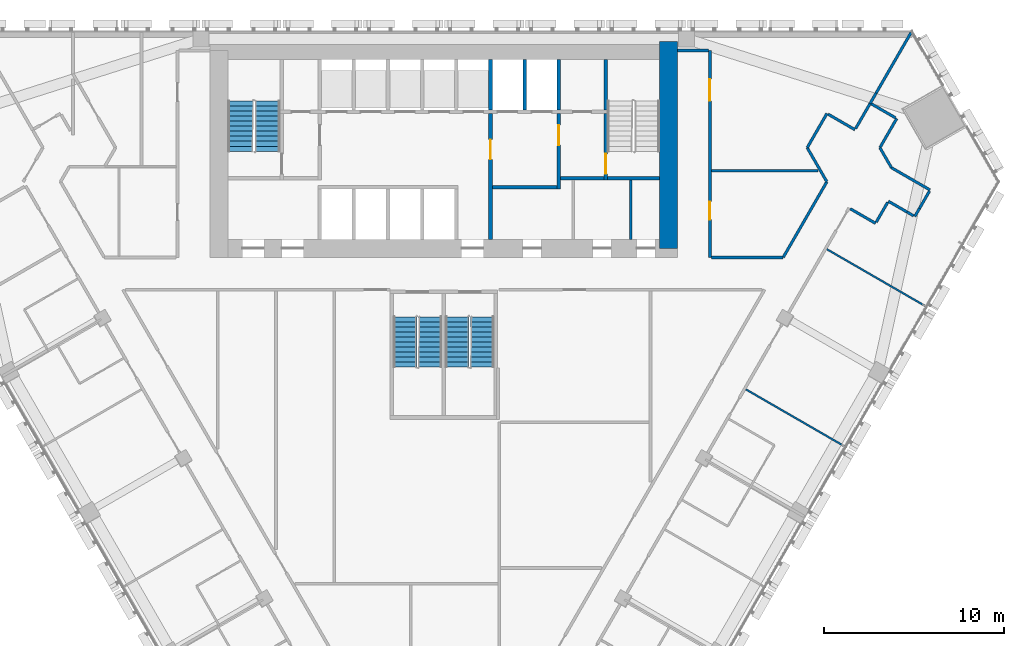
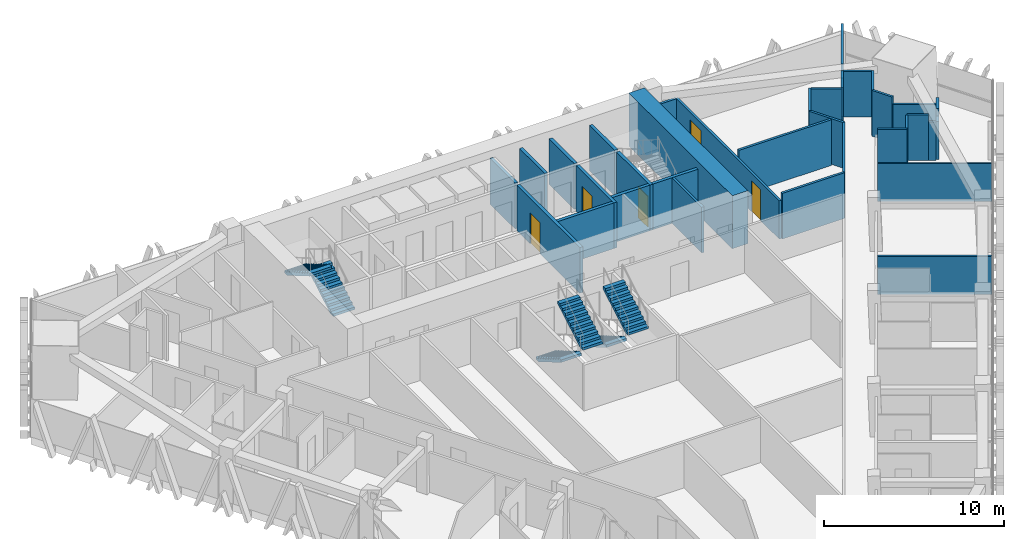
# One storey, part 14 of 18: 35 walls, 6 stair flights, 5 doors, 5 openings, 3 elements without a shape of their own.
"""IFC4 building model written with IfcOpenShell, lengths in metres."""

import ifcopenshell
import ifcopenshell.guid

model = None  # the IFC model being written
_history = None  # IfcOwnerHistory: only IFC2X3 demands one
_inside = {}  # id of a spatial element -> (the spatial element, [elements in it])
_under = {}  # id of a project, library or spatial element -> (it, [spatial elements below it])
_declared = {}  # id of a project -> (the project, [libraries it declares])
_typed = {}  # id of a type object -> (the type object, [elements of that type])
_made_of = {}  # id of a material, layer set ... -> (it, [elements and type objects made of it])


def new_model(schema):
    """Start an empty IFC model of exactly this schema.

    Asked for "IFC4X3", IfcOpenShell would pick the latest addendum, in which some entities
    have other attributes; the version numbers below select the first issue.
    IFC2X3 requires an IfcOwnerHistory on every rooted entity: one is made here for all.
    """
    global model, _history
    if schema == "IFC4X3":
        model = ifcopenshell.file(schema_version=(4, 3, 0, 0))
    else:
        model = ifcopenshell.file(schema=schema)
    _inside.clear()
    _under.clear()
    _declared.clear()
    _typed.clear()
    _made_of.clear()
    _history = None
    if model.schema == "IFC2X3":
        org = make("IfcOrganization", Name="unknown")
        user = make(
            "IfcPersonAndOrganization",
            ThePerson=make("IfcPerson", FamilyName="unknown"),
            TheOrganization=org,
        )
        app = make(
            "IfcApplication",
            ApplicationDeveloper=org,
            Version="unknown",
            ApplicationFullName="unknown",
            ApplicationIdentifier="unknown",
        )
        _history = make(
            "IfcOwnerHistory",
            OwningUser=user,
            OwningApplication=app,
            ChangeAction="ADDED",
            CreationDate=0,
        )
    return model


def make(cls, **values):
    """One entity of the class cls with the attributes given. An attribute that is None is left unset."""
    return model.create_entity(
        cls, **{name: value for name, value in values.items() if value is not None}
    )


def rooted(cls, **values):
    """An entity with a GlobalId (a new one), such as an element, a storey or a relation."""
    return make(cls, GlobalId=ifcopenshell.guid.new(), OwnerHistory=_history, **values)


def si_unit(unit_type, name, prefix=None):
    """IfcSIUnit, for example si_unit("LENGTHUNIT", "METRE", prefix="MILLI")."""
    return make("IfcSIUnit", UnitType=unit_type, Prefix=prefix, Name=name)


def assignment(units):
    """IfcUnitAssignment: the units of a project."""
    return None if units is None else make("IfcUnitAssignment", Units=units)


def point(xyz):
    """IfcCartesianPoint."""
    return None if xyz is None else make("IfcCartesianPoint", Coordinates=xyz)


def direction(xyz):
    """IfcDirection."""
    return None if xyz is None else make("IfcDirection", DirectionRatios=xyz)


def frame(location, z_axis=None, x_axis=None):
    """IfcAxis2Placement3D, a coordinate frame: its origin and axes. An axis left out is left unset."""
    return make(
        "IfcAxis2Placement3D",
        Location=point(location),
        Axis=direction(z_axis),
        RefDirection=direction(x_axis),
    )


def frame_2d(location, x_axis=None):
    """IfcAxis2Placement2D, a coordinate frame in the plane: its origin and x axis."""
    return make(
        "IfcAxis2Placement2D", Location=point(location), RefDirection=direction(x_axis)
    )


def origin():
    """The frame at (0, 0, 0) with its axes left unset."""
    return frame((0.0, 0.0, 0.0))


def place(relative_to, where):
    """IfcLocalPlacement: puts the frame where relative to a parent placement (None: the world)."""
    return make(
        "IfcLocalPlacement", PlacementRelTo=relative_to, RelativePlacement=where
    )


def context(
    kind, dimensions, precision=None, world=None, true_north=None, identifier=None
):
    """IfcGeometricRepresentationContext, for example the 3D "Model" context."""
    return make(
        "IfcGeometricRepresentationContext",
        ContextIdentifier=identifier,
        ContextType=kind,
        CoordinateSpaceDimension=dimensions,
        Precision=precision,
        WorldCoordinateSystem=world,
        TrueNorth=true_north,
    )


def subcontext(parent, identifier, kind, view, scale=None):
    """IfcGeometricRepresentationSubContext, for example "Body" below "Model"."""
    return make(
        "IfcGeometricRepresentationSubContext",
        ContextIdentifier=identifier,
        ContextType=kind,
        ParentContext=parent,
        TargetScale=scale,
        TargetView=view,
    )


def project(units=None, contexts=None):
    """IfcProject with its units and contexts."""
    return rooted(
        "IfcProject",
        Name="project",
        RepresentationContexts=contexts,
        UnitsInContext=assignment(units),
    )


def spatial(cls, under=None, at=None, **own):
    """A site, building, storey or space (cls), placed at a placement, below another one or the project."""
    s = rooted(cls, ObjectPlacement=at, **own)
    if under is not None:
        _under.setdefault(under.id(), (under, []))[1].append(s)
    return s


def polyline(points):
    """IfcPolyline through the points."""
    return make("IfcPolyline", Points=[point(p) for p in points])


def profile(cls, at=None, kind="AREA", **sizes):
    """A parametric profile (cls). Its sizes go by their IFC names, for example OverallWidth=200.0."""
    return make(cls, ProfileType=kind, Position=at, **sizes)


def rectangle(**sizes):
    """IfcRectangleProfileDef."""
    return profile("IfcRectangleProfileDef", **sizes)


def outline(outer, holes=None, kind="AREA"):
    """IfcArbitraryClosedProfileDef: a profile drawn as a closed curve; with holes, ...WithVoids."""
    if holes is None:
        return make("IfcArbitraryClosedProfileDef", ProfileType=kind, OuterCurve=outer)
    return make(
        "IfcArbitraryProfileDefWithVoids",
        ProfileType=kind,
        OuterCurve=outer,
        InnerCurves=holes,
    )


def extrude(swept, where, along, depth):
    """IfcExtrudedAreaSolid: the profile swept, set in the frame where, extruded along a direction by depth."""
    return make(
        "IfcExtrudedAreaSolid",
        SweptArea=swept,
        Position=where,
        ExtrudedDirection=direction(along),
        Depth=depth,
    )


def shape(context_of_items, identifier, shape_type, items):
    """IfcShapeRepresentation: the items that make up one representation, for example the "Body"."""
    return make(
        "IfcShapeRepresentation",
        ContextOfItems=context_of_items,
        RepresentationIdentifier=identifier,
        RepresentationType=shape_type,
        Items=items,
    )


def material(Name=None, Category=None):
    """IfcMaterial."""
    return make("IfcMaterial", Name=Name, Category=Category)


def layer(
    of_material, thickness, ventilated=None, Name=None, Category=None, Priority=None
):
    """IfcMaterialLayer: one layer of a wall or slab, of a material (None: an air gap)."""
    return make(
        "IfcMaterialLayer",
        Material=of_material,
        LayerThickness=thickness,
        IsVentilated=ventilated,
        Name=Name,
        Category=Category,
        Priority=Priority,
    )


def layer_set(layers, Name=None):
    """IfcMaterialLayerSet."""
    return make("IfcMaterialLayerSet", MaterialLayers=layers, LayerSetName=Name)


def made_of(thing, what):
    """Note that an element or type object is made of a material, layer set ...; save() writes the relation."""
    if what is not None:
        _made_of.setdefault(what.id(), (what, []))[1].append(thing)
    return thing


def type_object(cls, material=None, **own):
    """A type object (cls), such as IfcWallType, which elements share."""
    return made_of(rooted(cls, **own), material)


def element(
    cls,
    number,
    at=None,
    inside=None,
    cuts=None,
    type_object=None,
    material=None,
    context=None,
    identifier="Body",
    shape_type=None,
    held_by="IfcProductDefinitionShape",
    body=None,
    shapes=None,
    **own,
):
    """One element of the class cls, such as IfcWall. Its Tag is "e" and its number.

    at: its placement. inside: the storey or other place that contains it. cuts: it is an
    opening in that element (IfcRelVoidsElement). A single representation is given by context,
    identifier, shape_type and body (its items); several are given by shapes. held_by: the class
    of the entity that holds the representations. save() writes the other relations.
    """
    e = rooted(cls, Tag="e%d" % number, ObjectPlacement=at, **own)
    if body is not None:
        shapes = [shape(context, identifier, shape_type, body)]
    if shapes is not None:
        e.Representation = make(held_by, Representations=shapes)
    if inside is not None:
        _inside.setdefault(inside.id(), (inside, []))[1].append(e)
    if cuts is not None:
        rooted(
            "IfcRelVoidsElement", RelatingBuildingElement=cuts, RelatedOpeningElement=e
        )
    if type_object is not None:
        _typed.setdefault(type_object.id(), (type_object, []))[1].append(e)
    return made_of(e, material)


def fill(opening, filler):
    """IfcRelFillsElement: the door or window that sits in an opening."""
    return rooted(
        "IfcRelFillsElement",
        RelatingOpeningElement=opening,
        RelatedBuildingElement=filler,
    )


def aggregate(whole, parts):
    """IfcRelAggregates: a whole, such as a stair, and the parts it consists of."""
    return rooted("IfcRelAggregates", RelatingObject=whole, RelatedObjects=parts)


def save(model, path):
    """Write the relations noted so far, then the file.

    IfcRelAggregates (storeys below a building ...), IfcRelContainedInSpatialStructure (elements
    in a storey), IfcRelDefinesByType, IfcRelAssociatesMaterial and IfcRelDeclares: one each for
    every whole, place, type object, material and project.
    """
    for whole, parts in _under.values():
        aggregate(whole, parts)
    for where, things in _inside.values():
        rooted(
            "IfcRelContainedInSpatialStructure",
            RelatedElements=things,
            RelatingStructure=where,
        )
    for kind, things in _typed.values():
        rooted("IfcRelDefinesByType", RelatedObjects=things, RelatingType=kind)
    for what, things in _made_of.values():
        rooted("IfcRelAssociatesMaterial", RelatedObjects=things, RelatingMaterial=what)
    for by, libraries in _declared.values():
        rooted("IfcRelDeclares", RelatingContext=by, RelatedDefinitions=libraries)
    model.write(path)


model = new_model("IFC4")

# Units and contexts
model_context = context("Model", 3, precision=1e-05, world=origin(), true_north=direction((0.0, 1.0)))
body_context = subcontext(model_context, "Body", "Model", "MODEL_VIEW")
ifc_project = project(units=[si_unit("LENGTHUNIT", "METRE"), si_unit("AREAUNIT", "SQUARE_METRE"), si_unit("VOLUMEUNIT", "CUBIC_METRE"), si_unit("PLANEANGLEUNIT", "RADIAN"), si_unit("MASSUNIT", "GRAM", prefix="KILO")], contexts=[model_context])

# Site, building, storey
site_placement = place(None, origin())
site = spatial("IfcSite", under=ifc_project, at=site_placement, CompositionType="ELEMENT")
building_placement = place(site_placement, origin())
building = spatial("IfcBuilding", under=site, at=building_placement, Name="Altiplano Prism Tower", CompositionType="ELEMENT")
storey_placement = place(building_placement, frame((0.0, 0.0, 41.39990234375)))
storey = spatial("IfcBuildingStorey", under=building, at=storey_placement, Name="L09", CompositionType="ELEMENT", Elevation=41.39990234375)

# Walls
ifc_material_1 = material(Name="Concrete C70/85", Category="concrete")
ifc_layer_1 = layer(ifc_material_1, 1.0)
ifc_layer_set_1 = layer_set([ifc_layer_1], Name="Concrete C70/85")
wall_type_1 = type_object("IfcWallType", Name="Core wall 1000", PredefinedType="SHEAR", material=ifc_layer_set_1)
wall_1_placement = place(storey_placement, frame((97.5, 92.89990234375, 0.0), z_axis=(0.0, 0.0, 1.0), x_axis=(0.0, 1.0, 0.0)))
element("IfcWall", 1, at=wall_1_placement, inside=storey, type_object=wall_type_1, Name="Core wall E L09", PredefinedType="SHEAR", context=body_context, shape_type="SweptSolid", body=[
    extrude(rectangle(XDim=11.5, YDim=1.0, at=frame_2d((5.75, 0.0))), origin(), (0.0, 0.0, 1.0), 3.60009765625),
])
ifc_material_2 = material(Name="Plasterboard on steel stud", Category="steel")
ifc_layer_2 = layer(ifc_material_2, 0.10009765625)
ifc_layer_set_2 = layer_set([ifc_layer_2], Name="Plasterboard on steel stud")
wall_type_2 = type_object("IfcWallType", Name="Partition 100 wet", PredefinedType="PARTITIONING", material=ifc_layer_set_2)
wall_2_placement = place(storey_placement, frame((107.29736328125, 81.888427734375, 0.0), z_axis=(0.0, 0.0, 1.0), x_axis=(-0.866032443377, 0.499987806871, 0.0)))
element("IfcWall", 2, at=wall_2_placement, inside=storey, type_object=wall_type_2, Name="Partition P03 L09 101", PredefinedType="PARTITIONING", context=body_context, shape_type="SweptSolid", body=[
    extrude(rectangle(XDim=6.344970703125, YDim=0.10009765625, at=frame_2d((3.17236328125, 0.0))), origin(), (0.0, 0.0, 1.0), 2.60009765625),
])
wall_3_placement = place(storey_placement, frame((111.79736328125, 89.6826171875, 0.0), z_axis=(0.0, 0.0, 1.0), x_axis=(-0.866025401434, 0.500000004071, 0.0)))
element("IfcWall", 3, at=wall_3_placement, inside=storey, type_object=wall_type_2, Name="Partition P03 L09 102", PredefinedType="PARTITIONING", context=body_context, shape_type="SweptSolid", body=[
    extrude(rectangle(XDim=6.34521484375, YDim=0.10009765625, at=frame_2d((3.172607421875, 0.0))), origin(), (0.0, 0.0, 1.0), 2.60009765625),
])
ifc_layer_3 = layer(ifc_material_2, 0.14990234375)
ifc_layer_set_3 = layer_set([ifc_layer_3], Name="Plasterboard on steel stud")
wall_type_3 = type_object("IfcWallType", Name="Partition 150 corridor", PredefinedType="PARTITIONING", material=ifc_layer_set_3)
wall_4_placement = place(storey_placement, frame((107.602294921875, 95.106689453125, 0.0), z_axis=(0.0, 0.0, 1.0), x_axis=(0.866053003207, -0.499952193351, 0.0)))
element("IfcWall", 4, at=wall_4_placement, inside=storey, type_object=wall_type_3, Name="Partition P06 L09 025", PredefinedType="PARTITIONING", context=body_context, shape_type="SweptSolid", body=[
    extrude(rectangle(XDim=1.625244140625, YDim=0.14990234375, at=frame_2d((0.8125, 0.0))), origin(), (0.0, 0.0, 1.0), 3.10009765625),
])
wall_5_placement = place(storey_placement, frame((109.047119140625, 94.359375, 0.0), z_axis=(0.0, 0.0, 1.0), x_axis=(0.500066257368, 0.865987146695, 0.0)))
element("IfcWall", 5, at=wall_5_placement, inside=storey, type_object=wall_type_3, Name="Partition P06 L09 026", PredefinedType="PARTITIONING", context=body_context, shape_type="SweptSolid", body=[
    extrude(rectangle(XDim=1.270263671875, YDim=0.14990234375, at=frame_2d((0.63525390625, 0.0))), origin(), (0.0, 0.0, 1.0), 3.10009765625),
])
wall_6_placement = place(storey_placement, frame((109.719970703125, 95.5244140625, 0.0), z_axis=(0.0, 0.0, 1.0), x_axis=(0.866046033456, -0.499964266659, 0.0)))
element("IfcWall", 6, at=wall_6_placement, inside=storey, type_object=wall_type_3, Name="Partition P06 L09 027", PredefinedType="PARTITIONING", context=body_context, shape_type="SweptSolid", body=[
    extrude(rectangle(XDim=1.1943359375, YDim=0.14990234375, at=frame_2d((0.59716796875, 0.0))), origin(), (0.0, 0.0, 1.0), 3.10009765625),
])
wall_7_placement = place(storey_placement, frame((110.75439453125, 94.92724609375, 0.0), z_axis=(0.0, 0.0, 1.0), x_axis=(0.865930570761, -0.500164219654, 0.0)))
element("IfcWall", 7, at=wall_7_placement, inside=storey, type_object=wall_type_3, Name="Partition P06 L09 028", PredefinedType="PARTITIONING", context=body_context, shape_type="SweptSolid", body=[
    extrude(rectangle(XDim=0.430419921875, YDim=0.14990234375, at=frame_2d((0.21533203125, 0.0))), origin(), (0.0, 0.0, 1.0), 2.60009765625),
])
wall_8_placement = place(storey_placement, frame((111.192138671875, 94.674560546875, 0.0), z_axis=(0.0, 0.0, 1.0), x_axis=(0.500262019077, 0.865874074141, 0.0)))
element("IfcWall", 8, at=wall_8_placement, inside=storey, type_object=wall_type_3, Name="Partition P06 L09 029", PredefinedType="PARTITIONING", context=body_context, shape_type="SweptSolid", body=[
    extrude(rectangle(XDim=0.522216796875, YDim=0.14990234375, at=frame_2d((0.26123046875, 0.0))), origin(), (0.0, 0.0, 1.0), 2.60009765625),
])
wall_9_placement = place(storey_placement, frame((111.453369140625, 95.126708984375, 0.0), z_axis=(0.0, 0.0, 1.0), x_axis=(0.499901324955, 0.866082366353, 0.0)))
element("IfcWall", 9, at=wall_9_placement, inside=storey, type_object=wall_type_3, Name="Partition P06 L09 030", PredefinedType="PARTITIONING", context=body_context, shape_type="SweptSolid", body=[
    extrude(rectangle(XDim=1.102783203125, YDim=0.14990234375, at=frame_2d((0.55126953125, 0.0))), origin(), (0.0, 0.0, 1.0), 3.10009765625),
])
wall_10_placement = place(storey_placement, frame((112.042236328125, 96.146728515625, 0.0), z_axis=(0.0, 0.0, 1.0), x_axis=(-0.866011868261, 0.500023443481, 0.0)))
element("IfcWall", 10, at=wall_10_placement, inside=storey, type_object=wall_type_3, Name="Partition P06 L09 031", PredefinedType="PARTITIONING", context=body_context, shape_type="SweptSolid", body=[
    extrude(rectangle(XDim=2.48095703125, YDim=0.14990234375, at=frame_2d((1.240478515625, 0.0))), origin(), (0.0, 0.0, 1.0), 2.60009765625),
])
wall_11_placement = place(storey_placement, frame((109.893798828125, 97.38720703125, 0.0), z_axis=(0.0, 0.0, 1.0), x_axis=(-0.50006233641, 0.86598941085, 0.0)))
element("IfcWall", 11, at=wall_11_placement, inside=storey, type_object=wall_type_3, Name="Partition P06 L09 032", PredefinedType="PARTITIONING", context=body_context, shape_type="SweptSolid", body=[
    extrude(rectangle(XDim=1.284912109375, YDim=0.14990234375, at=frame_2d((0.642578125, 0.0))), origin(), (0.0, 0.0, 1.0), 3.10009765625),
])
wall_12_placement = place(storey_placement, frame((109.251220703125, 98.5, 0.0), z_axis=(0.0, 0.0, 1.0), x_axis=(0.499951854219, 0.86605319898, 0.0)))
element("IfcWall", 12, at=wall_12_placement, inside=storey, type_object=wall_type_3, Name="Partition P06 L09 033", PredefinedType="PARTITIONING", context=body_context, shape_type="SweptSolid", body=[
    extrude(rectangle(XDim=1.873291015625, YDim=0.14990234375, at=frame_2d((0.9365234375, 0.0))), origin(), (0.0, 0.0, 1.0), 3.10009765625),
])
wall_13_placement = place(storey_placement, frame((110.122802734375, 100.15966796875, 0.0), z_axis=(0.0, 0.0, 1.0), x_axis=(-0.865975732936, 0.500086022567, 0.0)))
element("IfcWall", 13, at=wall_13_placement, inside=storey, type_object=wall_type_3, Name="Partition P06 L09 034", PredefinedType="PARTITIONING", context=body_context, shape_type="SweptSolid", body=[
    extrude(rectangle(XDim=1.550048828125, YDim=0.14990234375, at=frame_2d((0.77490234375, 0.0))), origin(), (0.0, 0.0, 1.0), 3.10009765625),
])

# Wall, openings, doors
wall_14_placement = place(storey_placement, frame((99.800048828125, 92.39990234375, 0.0), z_axis=(0.0, 0.0, 1.0), x_axis=(0.0, 1.0, 0.0)))
wall_14 = element("IfcWall", 14, at=wall_14_placement, inside=storey, type_object=wall_type_3, Name="Partition P06 L09 035", PredefinedType="PARTITIONING", context=body_context, shape_type="SweptSolid", body=[
    extrude(rectangle(XDim=11.5, YDim=0.14990234375, at=frame_2d((5.75, 0.0))), origin(), (0.0, 0.0, 1.0), 2.60009765625),
])
opening_1_placement = place(wall_14_placement, frame((8.7080078125, 0.0, 0.0)))
opening_1 = element("IfcOpeningElement", 15, at=opening_1_placement, cuts=wall_14, Name="Opening D0360", PredefinedType="OPENING", context=body_context, shape_type="SweptSolid", body=[
    extrude(rectangle(XDim=1.199951171875, YDim=2.10009765625, at=frame_2d((0.60009765625, 1.050048828125))), frame((0.0, 0.08544921875, 0.0), z_axis=(0.0, -1.0, 0.0), x_axis=(1.0, 0.0, 0.0)), (0.0, 0.0, 1.0), 0.1708984375),
])
opening_2_placement = place(wall_14_placement, frame((2.095947265625, 0.0, 0.0)))
opening_2 = element("IfcOpeningElement", 16, at=opening_2_placement, cuts=wall_14, Name="Opening D0370", PredefinedType="OPENING", context=body_context, shape_type="SweptSolid", body=[
    extrude(rectangle(XDim=1.0, YDim=2.10009765625, at=frame_2d((0.5, 1.050048828125))), frame((0.0, 0.08544921875, 0.0), z_axis=(0.0, -1.0, 0.0), x_axis=(1.0, 0.0, 0.0)), (0.0, 0.0, 1.0), 0.1708984375),
])
ifc_material_3 = material(Name="Timber", Category="wood")
door_type_1 = type_object("IfcDoorType", Name="Shared room door 1200 x 2100", OperationType="NOTDEFINED", PredefinedType="NOTDEFINED", material=ifc_material_3)
door_1_placement = place(opening_1_placement, origin())
door_1 = element("IfcDoor", 17, at=door_1_placement, inside=storey, type_object=door_type_1, Name="Door D0360", OperationType="SINGLE_SWING_LEFT", OverallHeight=2.10009765625, OverallWidth=1.199951171875, PredefinedType="NOTDEFINED", context=body_context, shape_type="SweptSolid", body=[
    extrude(rectangle(XDim=1.199951171875, YDim=2.10009765625, at=frame_2d((0.60009765625, 1.050048828125))), frame((0.0, 0.02490234375, 0.0), z_axis=(0.0, -1.0, 0.0), x_axis=(1.0, 0.0, 0.0)), (0.0, 0.0, 1.0), 0.050048828125),
])
fill(opening_1, door_1)
door_type_2 = type_object("IfcDoorType", Name="Store door 1000 x 2100", OperationType="NOTDEFINED", PredefinedType="NOTDEFINED", material=ifc_material_3)
door_2_placement = place(opening_2_placement, origin())
door_2 = element("IfcDoor", 18, at=door_2_placement, inside=storey, type_object=door_type_2, Name="Door D0370", OperationType="SINGLE_SWING_RIGHT", OverallHeight=2.10009765625, OverallWidth=1.0, PredefinedType="NOTDEFINED", context=body_context, shape_type="SweptSolid", body=[
    extrude(rectangle(XDim=1.0, YDim=2.10009765625, at=frame_2d((0.5, 1.050048828125))), frame((0.0, 0.02490234375, 0.0), z_axis=(0.0, -1.0, 0.0), x_axis=(1.0, 0.0, 0.0)), (0.0, 0.0, 1.0), 0.050048828125),
])
fill(opening_2, door_2)

# Walls
wall_15_placement = place(storey_placement, frame((99.72509765625, 103.89990234375, 0.0), z_axis=(0.0, 0.0, 1.0), x_axis=(-1.0, 0.0, 0.0)))
element("IfcWall", 19, at=wall_15_placement, inside=storey, type_object=wall_type_3, Name="Partition P06 L09 036", PredefinedType="PARTITIONING", context=body_context, shape_type="SweptSolid", body=[
    extrude(rectangle(XDim=1.72509765625, YDim=0.14990234375, at=frame_2d((0.862548828125, 0.0))), origin(), (0.0, 0.0, 1.0), 2.60009765625),
])
wall_16_placement = place(storey_placement, frame((108.70556640625, 100.954833984375, 0.0), z_axis=(0.0, 0.0, 1.0), x_axis=(-0.500016533484, -0.866015857963, 0.0)))
element("IfcWall", 20, at=wall_16_placement, inside=storey, type_object=wall_type_3, Name="Partition P06 L09 037", PredefinedType="PARTITIONING", context=body_context, shape_type="SweptSolid", body=[
    extrude(rectangle(XDim=1.60498046875, YDim=0.14990234375, at=frame_2d((0.802490234375, 0.0))), origin(), (0.0, 0.0, 1.0), 3.10009765625),
])
wall_17_placement = place(storey_placement, frame((107.865478515625, 99.5, 0.0), z_axis=(0.0, 0.0, 1.0), x_axis=(-0.86597814115, 0.500081852351, 0.0)))
element("IfcWall", 21, at=wall_17_placement, inside=storey, type_object=wall_type_3, Name="Partition P06 L09 038", PredefinedType="PARTITIONING", context=body_context, shape_type="SweptSolid", body=[
    extrude(rectangle(XDim=1.724853515625, YDim=0.14990234375, at=frame_2d((0.8623046875, 0.0))), origin(), (0.0, 0.0, 1.0), 3.10009765625),
])
wall_18_placement = place(storey_placement, frame((106.306640625, 100.39990234375, 0.0), z_axis=(0.0, 0.0, 1.0), x_axis=(-0.500005024956, -0.866022502605, 0.0)))
element("IfcWall", 22, at=wall_18_placement, inside=storey, type_object=wall_type_3, Name="Partition P06 L09 039", PredefinedType="PARTITIONING", context=body_context, shape_type="SweptSolid", body=[
    extrude(rectangle(XDim=2.19384765625, YDim=0.14990234375, at=frame_2d((1.096923828125, 0.0))), origin(), (0.0, 0.0, 1.0), 3.10009765625),
])
wall_19_placement = place(storey_placement, frame((105.209716796875, 98.5, 0.0), z_axis=(0.0, 0.0, 1.0), x_axis=(0.500005971936, -0.866021955858, 0.0)))
element("IfcWall", 23, at=wall_19_placement, inside=storey, type_object=wall_type_3, Name="Partition P06 L09 040", PredefinedType="PARTITIONING", context=body_context, shape_type="SweptSolid", body=[
    extrude(rectangle(XDim=2.1865234375, YDim=0.14990234375, at=frame_2d((1.09326171875, 0.0))), origin(), (0.0, 0.0, 1.0), 3.10009765625),
])
wall_20_placement = place(storey_placement, frame((106.302978515625, 96.6064453125, 0.0), z_axis=(0.0, 0.0, 1.0), x_axis=(-0.49997190975, -0.866041621091, 0.0)))
element("IfcWall", 24, at=wall_20_placement, inside=storey, type_object=wall_type_3, Name="Partition P06 L09 047", PredefinedType="PARTITIONING", context=body_context, shape_type="SweptSolid", body=[
    extrude(rectangle(XDim=4.857177734375, YDim=0.14990234375, at=frame_2d((2.4287109375, 0.0))), origin(), (0.0, 0.0, 1.0), 3.10009765625),
])
wall_21_placement = place(storey_placement, frame((103.87451171875, 92.39990234375, 0.0), z_axis=(0.0, 0.0, 1.0), x_axis=(-1.0, 0.0, 0.0)))
element("IfcWall", 25, at=wall_21_placement, inside=storey, type_object=wall_type_3, Name="Partition P06 L09 048", PredefinedType="PARTITIONING", context=body_context, shape_type="SweptSolid", body=[
    extrude(rectangle(XDim=3.99951171875, YDim=0.14990234375, at=frame_2d((1.999755859375, 0.0))), origin(), (0.0, 0.0, 1.0), 3.10009765625),
])
ifc_layer_4 = layer(ifc_material_2, 0.14990234375)
ifc_layer_set_4 = layer_set([ifc_layer_4], Name="Plasterboard on steel stud")
wall_type_4 = type_object("IfcWallType", Name="Partition 150 party", PredefinedType="PARTITIONING", material=ifc_layer_set_4)
wall_22_placement = place(storey_placement, frame((110.9833984375, 104.89990234375, 0.0), z_axis=(0.0, 0.0, 1.0), x_axis=(-0.500000001976, -0.866025402643, 0.0)))
element("IfcWall", 26, at=wall_22_placement, inside=storey, type_object=wall_type_4, Name="Partition P01 L09 103", PredefinedType="PARTITIONING", context=body_context, shape_type="SweptSolid", body=[
    extrude(rectangle(XDim=3.88330078125, YDim=0.14990234375, at=frame_2d((1.941650390625, 0.0))), origin(), (0.0, 0.0, 1.0), 3.10009765625),
])
wall_23_placement = place(storey_placement, frame((109.041748046875, 101.536865234375, 0.0), z_axis=(0.0, 0.0, 1.0), x_axis=(-0.500162614387, -0.865931497966, 0.0)))
element("IfcWall", 27, at=wall_23_placement, inside=storey, type_object=wall_type_4, Name="Partition P01 L09 104", PredefinedType="PARTITIONING", context=body_context, shape_type="SweptSolid", body=[
    extrude(rectangle(XDim=0.672119140625, YDim=0.14990234375, at=frame_2d((0.3359375, 0.0))), origin(), (0.0, 0.0, 1.0), 2.60009765625),
])
wall_24_placement = place(storey_placement, frame((99.875, 97.216796875, 0.0), z_axis=(0.0, 0.0, 1.0), x_axis=(1.0, 0.0, 0.0)))
element("IfcWall", 28, at=wall_24_placement, inside=storey, type_object=wall_type_4, Name="Partition P01 L09 108", PredefinedType="PARTITIONING", context=body_context, shape_type="SweptSolid", body=[
    extrude(rectangle(XDim=5.94580078125, YDim=0.14990234375, at=frame_2d((2.972900390625, 0.0))), origin(), (0.0, 0.0, 1.0), 3.10009765625),
])
ifc_material_4 = material(Name="Fire-rated gypsum board partition")
ifc_layer_5 = layer(ifc_material_4, 0.14990234375)
ifc_layer_set_5 = layer_set([ifc_layer_5], Name="Fire-rated gypsum board partition")
wall_type_5 = type_object("IfcWallType", Name="Room partition 150", PredefinedType="PARTITIONING", material=ifc_layer_set_5)
wall_25_placement = place(storey_placement, frame((95.39990234375, 93.39990234375, 0.0), z_axis=(0.0, 0.0, 1.0), x_axis=(0.0, 1.0, 0.0)))
element("IfcWall", 29, at=wall_25_placement, inside=storey, type_object=wall_type_5, Name="Room partition L09", PredefinedType="PARTITIONING", context=body_context, shape_type="SweptSolid", body=[
    extrude(rectangle(XDim=3.300048828125, YDim=0.14990234375, at=frame_2d((1.64990234375, 0.0))), origin(), (0.0, 0.0, 1.0), 3.10009765625),
])
ifc_material_5 = material(Name="Concrete C60/75", Category="concrete")
ifc_layer_6 = layer(ifc_material_5, 0.199951171875)
ifc_layer_set_6 = layer_set([ifc_layer_6], Name="Concrete C60/75")
wall_type_6 = type_object("IfcWallType", Name="Shaft wall 200", PredefinedType="SOLIDWALL", material=ifc_layer_set_6)
for number, where, z_axis, x_axis, name in (
    (30, (87.60009765625, 100.60009765625, 0.0), (0.0, 0.0, 1.0), (0.0, 1.0, 0.0), "Shaft wall L09"),
    (31, (89.5, 100.60009765625, 0.0), (0.0, 0.0, 1.0), (0.0, 1.0, 0.0), "Shaft wall L09"),
    (32, (91.39990234375, 100.60009765625, 0.0), (0.0, 0.0, 1.0), (0.0, 1.0, 0.0), "Shaft wall L09"),
):
    element("IfcWall", number, at=place(storey_placement, frame(where, z_axis=z_axis, x_axis=x_axis)), inside=storey, type_object=wall_type_6, Name=name, PredefinedType="SOLIDWALL", context=body_context, shape_type="SweptSolid", body=[
        extrude(rectangle(XDim=2.7998046875, YDim=0.199951171875, at=frame_2d((1.39990234375, 0.0))), origin(), (0.0, 0.0, 1.0), 3.10009765625),
    ])

# Wall, opening, door
ifc_layer_7 = layer(ifc_material_5, 0.199951171875)
ifc_layer_set_7 = layer_set([ifc_layer_7], Name="Concrete C60/75")
wall_type_7 = type_object("IfcWallType", Name="Stair wall 200", PredefinedType="SOLIDWALL", material=ifc_layer_set_7)
wall_26_placement = place(storey_placement, frame((94.0, 96.699951171875, 0.0), z_axis=(0.0, 0.0, 1.0), x_axis=(0.0, 1.0, 0.0)))
wall_26 = element("IfcWall", 33, at=wall_26_placement, inside=storey, type_object=wall_type_7, Name="Stair wall L09", PredefinedType="SOLIDWALL", context=body_context, shape_type="SweptSolid", body=[
    extrude(rectangle(XDim=3.699951171875, YDim=0.199951171875, at=frame_2d((1.85009765625, 0.0))), origin(), (0.0, 0.0, 1.0), 3.10009765625),
])
opening_3_placement = place(wall_26_placement, frame((0.35009765625, 0.0, 0.0)))
opening_3 = element("IfcOpeningElement", 34, at=opening_3_placement, cuts=wall_26, Name="Opening D2708", PredefinedType="OPENING", context=body_context, shape_type="SweptSolid", body=[
    extrude(rectangle(XDim=1.10009765625, YDim=2.10009765625, at=frame_2d((0.550048828125, 1.050048828125))), frame((0.0, 0.1103515625, 0.0), z_axis=(0.0, -1.0, 0.0), x_axis=(1.0, 0.0, 0.0)), (0.0, 0.0, 1.0), 0.220947265625),
])
ifc_material_6 = material(Name="Fire-rated steel door", Category="steel")
door_type_3 = type_object("IfcDoorType", Name="Stair fire door 1100 x 2100", OperationType="NOTDEFINED", PredefinedType="NOTDEFINED", material=ifc_material_6)
door_3_placement = place(opening_3_placement, origin())
door_3 = element("IfcDoor", 35, at=door_3_placement, inside=storey, type_object=door_type_3, Name="Stair fire door D2708", OperationType="SINGLE_SWING_LEFT", OverallHeight=2.10009765625, OverallWidth=1.10009765625, PredefinedType="NOTDEFINED", context=body_context, shape_type="SweptSolid", body=[
    extrude(rectangle(XDim=1.10009765625, YDim=2.10009765625, at=frame_2d((0.550048828125, 1.050048828125))), frame((0.0, 0.02490234375, 0.0), z_axis=(0.0, -1.0, 0.0), x_axis=(1.0, 0.0, 0.0)), (0.0, 0.0, 1.0), 0.050048828125),
])
fill(opening_3, door_3)

# Walls
wall_27_placement = place(storey_placement, frame((94.10009765625, 96.800048828125, 0.0), z_axis=(0.0, 0.0, 1.0), x_axis=(1.0, 0.0, 0.0)))
element("IfcWall", 36, at=wall_27_placement, inside=storey, type_object=wall_type_7, Name="Stair wall L09", PredefinedType="SOLIDWALL", context=body_context, shape_type="SweptSolid", body=[
    extrude(rectangle(XDim=2.89990234375, YDim=0.199951171875, at=frame_2d((1.449951171875, 0.0))), origin(), (0.0, 0.0, 1.0), 3.10009765625),
])
wall_28_placement = place(storey_placement, frame((94.0, 100.60009765625, 0.0), z_axis=(0.0, 0.0, 1.0), x_axis=(0.0, 1.0, 0.0)))
element("IfcWall", 37, at=wall_28_placement, inside=storey, type_object=wall_type_7, Name="Stair wall L09", PredefinedType="SOLIDWALL", context=body_context, shape_type="SweptSolid", body=[
    extrude(rectangle(XDim=2.7998046875, YDim=0.199951171875, at=frame_2d((1.39990234375, 0.0))), origin(), (0.0, 0.0, 1.0), 3.10009765625),
])

# Wall, opening, door
ifc_layer_8 = layer(ifc_material_5, 0.199951171875)
ifc_layer_set_8 = layer_set([ifc_layer_8], Name="Concrete C60/75")
wall_type_8 = type_object("IfcWallType", Name="Vestibule wall 200", PredefinedType="PARTITIONING", material=ifc_layer_set_8)
wall_29_placement = place(storey_placement, frame((87.60009765625, 93.39990234375, 0.0), z_axis=(0.0, 0.0, 1.0), x_axis=(0.0, 1.0, 0.0)))
wall_29 = element("IfcWall", 38, at=wall_29_placement, inside=storey, type_object=wall_type_8, Name="Vestibule wall L09", PredefinedType="PARTITIONING", context=body_context, shape_type="SweptSolid", body=[
    extrude(rectangle(XDim=7.0, YDim=0.199951171875, at=frame_2d((3.5, 0.0))), origin(), (0.0, 0.0, 1.0), 3.10009765625),
])
opening_4_placement = place(wall_29_placement, frame((4.449951171875, 0.0, 0.0)))
opening_4 = element("IfcOpeningElement", 39, at=opening_4_placement, cuts=wall_29, Name="Opening D2710", PredefinedType="OPENING", context=body_context, shape_type="SweptSolid", body=[
    extrude(rectangle(XDim=1.10009765625, YDim=2.10009765625, at=frame_2d((0.550048828125, 1.050048828125))), frame((0.0, 0.1103515625, 0.0), z_axis=(0.0, -1.0, 0.0), x_axis=(1.0, 0.0, 0.0)), (0.0, 0.0, 1.0), 0.220947265625),
])
door_type_4 = type_object("IfcDoorType", Name="Vestibule fire door 1100 x 2100", OperationType="NOTDEFINED", PredefinedType="NOTDEFINED", material=ifc_material_6)
door_4_placement = place(opening_4_placement, origin())
door_4 = element("IfcDoor", 40, at=door_4_placement, inside=storey, type_object=door_type_4, Name="Vestibule fire door D2710", OperationType="SINGLE_SWING_RIGHT", OverallHeight=2.10009765625, OverallWidth=1.10009765625, PredefinedType="NOTDEFINED", context=body_context, shape_type="SweptSolid", body=[
    extrude(rectangle(XDim=1.10009765625, YDim=2.10009765625, at=frame_2d((0.550048828125, 1.050048828125))), frame((0.0, 0.02490234375, 0.0), z_axis=(0.0, -1.0, 0.0), x_axis=(1.0, 0.0, 0.0)), (0.0, 0.0, 1.0), 0.050048828125),
])
fill(opening_4, door_4)

# Wall
wall_30_placement = place(storey_placement, frame((87.699951171875, 96.300048828125, 0.0), z_axis=(0.0, 0.0, 1.0), x_axis=(1.0, 0.0, 0.0)))
element("IfcWall", 41, at=wall_30_placement, inside=storey, type_object=wall_type_8, Name="Vestibule wall L09", PredefinedType="PARTITIONING", context=body_context, shape_type="SweptSolid", body=[
    extrude(rectangle(XDim=3.60009765625, YDim=0.199951171875, at=frame_2d((1.800048828125, 0.0))), origin(), (0.0, 0.0, 1.0), 3.10009765625),
])

# Wall, opening, door
wall_31_placement = place(storey_placement, frame((91.39990234375, 96.199951171875, 0.0), z_axis=(0.0, 0.0, 1.0), x_axis=(0.0, 1.0, 0.0)))
wall_31 = element("IfcWall", 42, at=wall_31_placement, inside=storey, type_object=wall_type_8, Name="Vestibule wall L09", PredefinedType="PARTITIONING", context=body_context, shape_type="SweptSolid", body=[
    extrude(rectangle(XDim=4.199951171875, YDim=0.199951171875, at=frame_2d((2.10009765625, 0.0))), origin(), (0.0, 0.0, 1.0), 3.10009765625),
])
opening_5_placement = place(wall_31_placement, frame((2.449951171875, 0.0, 0.0)))
opening_5 = element("IfcOpeningElement", 43, at=opening_5_placement, cuts=wall_31, Name="Opening D2711", PredefinedType="OPENING", context=body_context, shape_type="SweptSolid", body=[
    extrude(rectangle(XDim=1.10009765625, YDim=2.10009765625, at=frame_2d((0.550048828125, 1.050048828125))), frame((0.0, 0.1103515625, 0.0), z_axis=(0.0, -1.0, 0.0), x_axis=(1.0, 0.0, 0.0)), (0.0, 0.0, 1.0), 0.220947265625),
])
door_5_placement = place(opening_5_placement, origin())
door_5 = element("IfcDoor", 44, at=door_5_placement, inside=storey, type_object=door_type_4, Name="Vestibule fire door D2711", OperationType="SINGLE_SWING_LEFT", OverallHeight=2.10009765625, OverallWidth=1.10009765625, PredefinedType="NOTDEFINED", context=body_context, shape_type="SweptSolid", body=[
    extrude(rectangle(XDim=1.10009765625, YDim=2.10009765625, at=frame_2d((0.550048828125, 1.050048828125))), frame((0.0, 0.02490234375, 0.0), z_axis=(0.0, -1.0, 0.0), x_axis=(1.0, 0.0, 0.0)), (0.0, 0.0, 1.0), 0.050048828125),
])
fill(opening_5, door_5)

# Wall
wall_32_placement = place(storey_placement, frame((91.5, 96.800048828125, 0.0), z_axis=(0.0, 0.0, 1.0), x_axis=(1.0, 0.0, 0.0)))
element("IfcWall", 45, at=wall_32_placement, inside=storey, type_object=wall_type_8, Name="Vestibule wall L09", PredefinedType="PARTITIONING", context=body_context, shape_type="SweptSolid", body=[
    extrude(rectangle(XDim=2.39990234375, YDim=0.199951171875, at=frame_2d((1.199951171875, 0.0))), origin(), (0.0, 0.0, 1.0), 3.10009765625),
])

# Stair, stair flights
ifc_material_7 = material(Name="Concrete C40/50", Category="concrete")
stair_type_1 = type_object("IfcStairType", Name="Exit stair 1400", PredefinedType="HALF_TURN_STAIR", material=ifc_material_7)
stair_1_placement = place(storey_placement, origin())
stair_1 = element("IfcStair", 46, at=stair_1_placement, inside=storey, type_object=stair_type_1, Name="L09 Exit Stair 1", PredefinedType="HALF_TURN_STAIR")
stair_flight_type = type_object("IfcStairFlightType", Name="Stair flight concrete 150", PredefinedType="STRAIGHT", material=ifc_material_7)
stair_flight_1_placement = place(storey_placement, frame((75.199951171875, 98.300048828125, 0.0), z_axis=(0.0, 0.0, 1.0), x_axis=(0.0, 1.0, 0.0)))
stair_flight_1 = element("IfcStairFlight", 47, at=stair_flight_1_placement, type_object=stair_flight_type, Name="ST1 flight 1", NumberOfRisers=11, NumberOfTreads=10, PredefinedType="STRAIGHT", RiserHeight=0.163636364, TreadLength=0.28, context=body_context, shape_type="SweptSolid", body=[
    extrude(outline(polyline([(0.0, 0.0), (0.0, 0.16357421875), (0.280029296875, 0.16357421875), (0.280029296875, 0.327392578125), (0.56005859375, 0.327392578125), (0.56005859375, 0.490966796875), (0.840087890625, 0.490966796875), (0.840087890625, 0.654541015625), (1.1201171875, 0.654541015625), (1.1201171875, 0.818115234375), (1.39990234375, 0.818115234375), (1.39990234375, 0.98193359375), (1.679931640625, 0.98193359375), (1.679931640625, 1.1455078125), (1.9599609375, 1.1455078125), (1.9599609375, 1.30908203125), (2.239990234375, 1.30908203125), (2.239990234375, 1.47265625), (2.52001953125, 1.47265625), (2.52001953125, 1.636474609375), (2.800048828125, 1.636474609375), (2.800048828125, 1.800048828125), (2.800048828125, 1.462646484375), (0.297119140625, 0.0), (0.0, 0.0)])), frame((0.0, 0.699951171875, 0.0), z_axis=(0.0, -1.0, 0.0), x_axis=(1.0, 0.0, 0.0)), (0.0, 0.0, 1.0), 1.39990234375),
])
stair_flight_2_placement = place(storey_placement, frame((73.699951171875, 101.10009765625, 1.800048828125), z_axis=(0.0, 0.0, 1.0), x_axis=(0.0, -1.0, 0.0)))
stair_flight_2 = element("IfcStairFlight", 48, at=stair_flight_2_placement, type_object=stair_flight_type, Name="ST1 flight 2", NumberOfRisers=11, NumberOfTreads=10, PredefinedType="STRAIGHT", RiserHeight=0.163636364, TreadLength=0.28, context=body_context, shape_type="SweptSolid", body=[
    extrude(outline(polyline([(0.0, 0.0), (0.0, 0.16357421875), (0.280029296875, 0.16357421875), (0.280029296875, 0.327392578125), (0.56005859375, 0.327392578125), (0.56005859375, 0.490966796875), (0.840087890625, 0.490966796875), (0.840087890625, 0.654541015625), (1.1201171875, 0.654541015625), (1.1201171875, 0.818115234375), (1.39990234375, 0.818115234375), (1.39990234375, 0.98193359375), (1.679931640625, 0.98193359375), (1.679931640625, 1.1455078125), (1.9599609375, 1.1455078125), (1.9599609375, 1.30908203125), (2.239990234375, 1.30908203125), (2.239990234375, 1.47265625), (2.52001953125, 1.47265625), (2.52001953125, 1.636474609375), (2.800048828125, 1.636474609375), (2.800048828125, 1.800048828125), (2.800048828125, 1.462646484375), (0.297119140625, 0.0), (0.0, 0.0)])), frame((0.0, 0.699951171875, 0.0), z_axis=(0.0, -1.0, 0.0), x_axis=(1.0, 0.0, 0.0)), (0.0, 0.0, 1.0), 1.39990234375),
])
aggregate(stair_1, [stair_flight_1, stair_flight_2])

stair_type_2 = type_object("IfcStairType", Name="Exit stair 1300", PredefinedType="HALF_TURN_STAIR", material=ifc_material_7)
stair_2_placement = place(storey_placement, origin())
stair_2 = element("IfcStair", 49, at=stair_2_placement, inside=storey, type_object=stair_type_2, Name="L09 Exit Stair 3A", PredefinedType="HALF_TURN_STAIR")
stair_flight_3_placement = place(storey_placement, frame((82.85009765625, 89.10009765625, 0.0), z_axis=(0.0, 0.0, 1.0), x_axis=(0.0, -1.0, 0.0)))
stair_flight_3 = element("IfcStairFlight", 50, at=stair_flight_3_placement, type_object=stair_flight_type, Name="ST3A flight 1", NumberOfRisers=11, NumberOfTreads=10, PredefinedType="STRAIGHT", RiserHeight=0.163636364, TreadLength=0.28, context=body_context, shape_type="SweptSolid", body=[
    extrude(outline(polyline([(0.0, 0.0), (0.0, 0.16357421875), (0.280029296875, 0.16357421875), (0.280029296875, 0.327392578125), (0.56005859375, 0.327392578125), (0.56005859375, 0.490966796875), (0.840087890625, 0.490966796875), (0.840087890625, 0.654541015625), (1.1201171875, 0.654541015625), (1.1201171875, 0.818115234375), (1.39990234375, 0.818115234375), (1.39990234375, 0.98193359375), (1.679931640625, 0.98193359375), (1.679931640625, 1.1455078125), (1.9599609375, 1.1455078125), (1.9599609375, 1.30908203125), (2.239990234375, 1.30908203125), (2.239990234375, 1.47265625), (2.52001953125, 1.47265625), (2.52001953125, 1.636474609375), (2.800048828125, 1.636474609375), (2.800048828125, 1.800048828125), (2.800048828125, 1.462646484375), (0.297119140625, 0.0), (0.0, 0.0)])), frame((0.0, 0.64990234375, 0.0), z_axis=(0.0, -1.0, 0.0), x_axis=(1.0, 0.0, 0.0)), (0.0, 0.0, 1.0), 1.300048828125),
])
stair_flight_4_placement = place(storey_placement, frame((84.25, 86.300048828125, 1.800048828125), z_axis=(0.0, 0.0, 1.0), x_axis=(0.0, 1.0, 0.0)))
stair_flight_4 = element("IfcStairFlight", 51, at=stair_flight_4_placement, type_object=stair_flight_type, Name="ST3A flight 2", NumberOfRisers=11, NumberOfTreads=10, PredefinedType="STRAIGHT", RiserHeight=0.163636364, TreadLength=0.28, context=body_context, shape_type="SweptSolid", body=[
    extrude(outline(polyline([(0.0, 0.0), (0.0, 0.16357421875), (0.280029296875, 0.16357421875), (0.280029296875, 0.327392578125), (0.56005859375, 0.327392578125), (0.56005859375, 0.490966796875), (0.840087890625, 0.490966796875), (0.840087890625, 0.654541015625), (1.1201171875, 0.654541015625), (1.1201171875, 0.818115234375), (1.39990234375, 0.818115234375), (1.39990234375, 0.98193359375), (1.679931640625, 0.98193359375), (1.679931640625, 1.1455078125), (1.9599609375, 1.1455078125), (1.9599609375, 1.30908203125), (2.239990234375, 1.30908203125), (2.239990234375, 1.47265625), (2.52001953125, 1.47265625), (2.52001953125, 1.636474609375), (2.800048828125, 1.636474609375), (2.800048828125, 1.800048828125), (2.800048828125, 1.462646484375), (0.297119140625, 0.0), (0.0, 0.0)])), frame((0.0, 0.64990234375, 0.0), z_axis=(0.0, -1.0, 0.0), x_axis=(1.0, 0.0, 0.0)), (0.0, 0.0, 1.0), 1.300048828125),
])
aggregate(stair_2, [stair_flight_3, stair_flight_4])

stair_3_placement = place(storey_placement, origin())
stair_3 = element("IfcStair", 52, at=stair_3_placement, inside=storey, type_object=stair_type_2, Name="L09 Exit Stair 3B", PredefinedType="HALF_TURN_STAIR")
stair_flight_5_placement = place(storey_placement, frame((85.75, 89.10009765625, 0.0), z_axis=(0.0, 0.0, 1.0), x_axis=(0.0, -1.0, 0.0)))
stair_flight_5 = element("IfcStairFlight", 53, at=stair_flight_5_placement, type_object=stair_flight_type, Name="ST3B flight 1", NumberOfRisers=11, NumberOfTreads=10, PredefinedType="STRAIGHT", RiserHeight=0.163636364, TreadLength=0.28, context=body_context, shape_type="SweptSolid", body=[
    extrude(outline(polyline([(0.0, 0.0), (0.0, 0.16357421875), (0.280029296875, 0.16357421875), (0.280029296875, 0.327392578125), (0.56005859375, 0.327392578125), (0.56005859375, 0.490966796875), (0.840087890625, 0.490966796875), (0.840087890625, 0.654541015625), (1.1201171875, 0.654541015625), (1.1201171875, 0.818115234375), (1.39990234375, 0.818115234375), (1.39990234375, 0.98193359375), (1.679931640625, 0.98193359375), (1.679931640625, 1.1455078125), (1.9599609375, 1.1455078125), (1.9599609375, 1.30908203125), (2.239990234375, 1.30908203125), (2.239990234375, 1.47265625), (2.52001953125, 1.47265625), (2.52001953125, 1.636474609375), (2.800048828125, 1.636474609375), (2.800048828125, 1.800048828125), (2.800048828125, 1.462646484375), (0.297119140625, 0.0), (0.0, 0.0)])), frame((0.0, 0.64990234375, 0.0), z_axis=(0.0, -1.0, 0.0), x_axis=(1.0, 0.0, 0.0)), (0.0, 0.0, 1.0), 1.300048828125),
])
stair_flight_6_placement = place(storey_placement, frame((87.14990234375, 86.300048828125, 1.800048828125), z_axis=(0.0, 0.0, 1.0), x_axis=(0.0, 1.0, 0.0)))
stair_flight_6 = element("IfcStairFlight", 54, at=stair_flight_6_placement, type_object=stair_flight_type, Name="ST3B flight 2", NumberOfRisers=11, NumberOfTreads=10, PredefinedType="STRAIGHT", RiserHeight=0.163636364, TreadLength=0.28, context=body_context, shape_type="SweptSolid", body=[
    extrude(outline(polyline([(0.0, 0.0), (0.0, 0.16357421875), (0.280029296875, 0.16357421875), (0.280029296875, 0.327392578125), (0.56005859375, 0.327392578125), (0.56005859375, 0.490966796875), (0.840087890625, 0.490966796875), (0.840087890625, 0.654541015625), (1.1201171875, 0.654541015625), (1.1201171875, 0.818115234375), (1.39990234375, 0.818115234375), (1.39990234375, 0.98193359375), (1.679931640625, 0.98193359375), (1.679931640625, 1.1455078125), (1.9599609375, 1.1455078125), (1.9599609375, 1.30908203125), (2.239990234375, 1.30908203125), (2.239990234375, 1.47265625), (2.52001953125, 1.47265625), (2.52001953125, 1.636474609375), (2.800048828125, 1.636474609375), (2.800048828125, 1.800048828125), (2.800048828125, 1.462646484375), (0.297119140625, 0.0), (0.0, 0.0)])), frame((0.0, 0.64990234375, 0.0), z_axis=(0.0, -1.0, 0.0), x_axis=(1.0, 0.0, 0.0)), (0.0, 0.0, 1.0), 1.300048828125),
])
aggregate(stair_3, [stair_flight_5, stair_flight_6])

save(model, "model.ifc")
